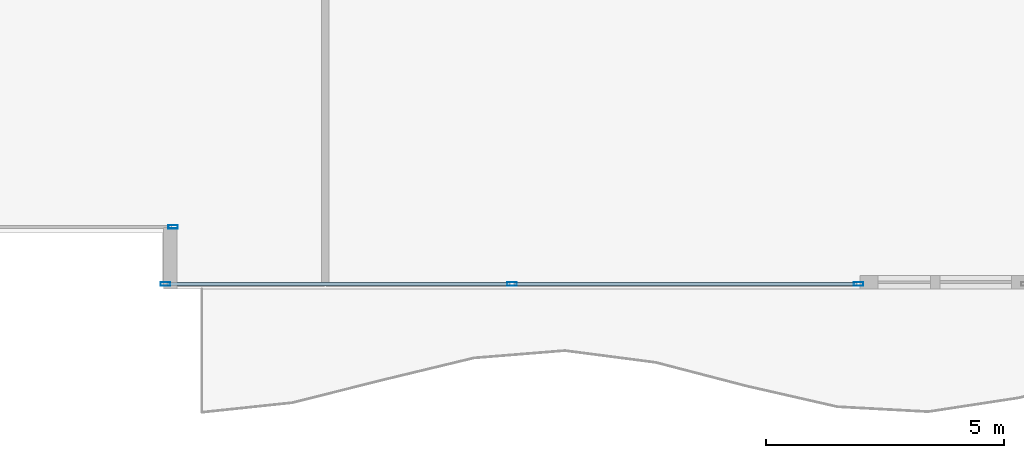
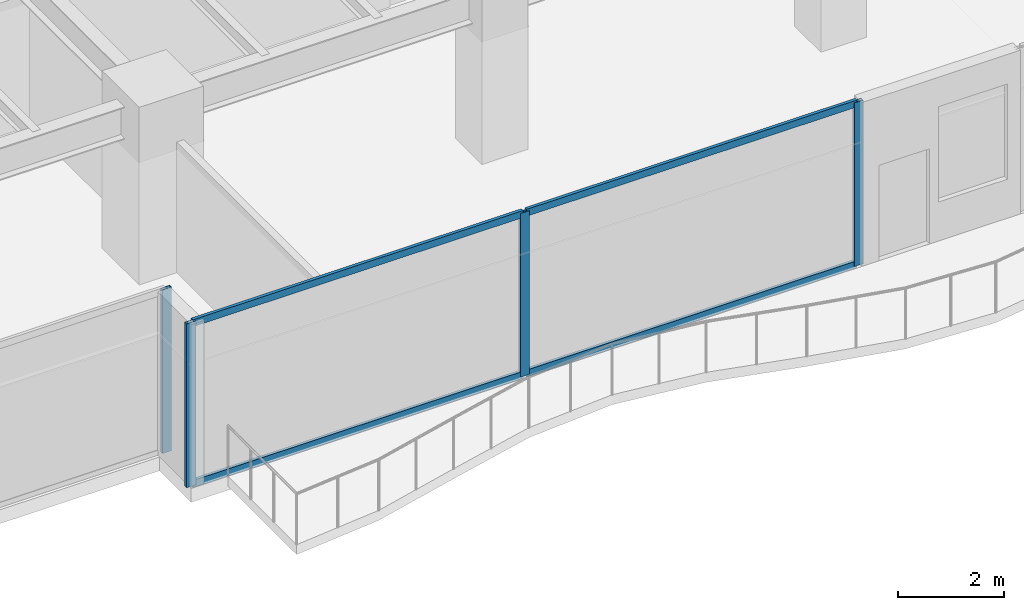
# One storey, part 10 of 32: 8 members, 2 elements without a shape of their own.
"""IFC4 building model written with IfcOpenShell, lengths in metres."""

from ifc_helpers import new_model, si_unit, direction, frame, origin, origin_2d, place, context, subcontext, project, spatial, hollow_rectangle, extrude, source, transform, mapped, material, layer, layer_set, material_profile, profile_set, type_object, type_shapes, element, aggregate, save


model = new_model("IFC4")

# Units and contexts
model_context = context("Model", 3, precision=1e-05, world=origin(), true_north=direction((0.0, 1.0)))
body_context = subcontext(model_context, "Body", "Model", "MODEL_VIEW")
ifc_project = project(units=[si_unit("LENGTHUNIT", "METRE"), si_unit("AREAUNIT", "SQUARE_METRE"), si_unit("VOLUMEUNIT", "CUBIC_METRE"), si_unit("PLANEANGLEUNIT", "RADIAN"), si_unit("MASSUNIT", "GRAM", prefix="KILO")], contexts=[model_context])

# Site, building, storey
site_placement = place(None, origin())
site = spatial("IfcSite", under=ifc_project, at=site_placement, CompositionType="ELEMENT")
building_placement = place(site_placement, origin())
building = spatial("IfcBuilding", under=site, at=building_placement, Name="Haelvirn Gate Laboratories", CompositionType="ELEMENT")
storey_placement = place(building_placement, frame((0.0, 0.0, 33.39990234375)))
storey = spatial("IfcBuildingStorey", under=building, at=storey_placement, Name="L08", CompositionType="ELEMENT", Elevation=33.39990234375)

# Curtain wall, member
ifc_material_1 = material(Name="Anodised bronze unitised aluminium & triple low-E glass", Category="aluminium")
ifc_layer = layer(ifc_material_1, 0.18408203125, Name="CW-SYS-2")
ifc_layer_set = layer_set([ifc_layer], Name="Anodised bronze unitised aluminium & triple low-E glass")
curtain_wall_type = type_object("IfcCurtainWallType", Name="CW-SYS-2", PredefinedType="NOTDEFINED", material=ifc_layer_set)
curtain_wall_1_placement = place(storey_placement, origin())
curtain_wall_1 = element("IfcCurtainWall", 1, at=curtain_wall_1_placement, inside=storey, type_object=curtain_wall_type, Name="L08 Unitised Curtain Wall CW-L08-P0-E02-1", PredefinedType="NOTDEFINED")
ifc_material_2 = material(Name="Extruded aluminium 6063-T6 (anodised bronze)", Category="aluminium")
ifc_material_profile_1 = material_profile(ifc_material_2, hollow_rectangle(XDim=0.074951171875, YDim=0.199951171875, WallThickness=0.0048828125, at=origin_2d()), Name="CWM-200x75x5")
ifc_profile_set_1 = profile_set([ifc_material_profile_1], Name="Extruded aluminium 6063-T6 (anodised bronze)")
member_type_1 = type_object("IfcMemberType", Name="CWM-T200", PredefinedType="MULLION", material=ifc_profile_set_1)
shared_shape_1 = source(origin(), body_context, "Body", "SweptSolid", [
    extrude(hollow_rectangle(XDim=0.074951171875, YDim=0.199951171875, WallThickness=0.0048828125, at=origin_2d()), origin(), (0.0, 0.0, 1.0), 3.780029296875),
])
type_shapes(member_type_1, [shared_shape_1])
member_1_placement = place(storey_placement, frame((49.6025390625, 1.300048828125, 0.0), z_axis=(0.0, 0.0, 1.0), x_axis=(0.0, 1.0, 0.0)))
member_1 = element("IfcMember", 2, at=member_1_placement, type_object=member_type_1, Name="CW2 mullion 3", PredefinedType="MULLION", context=body_context, shape_type="MappedRepresentation", body=[
    mapped(shared_shape_1, transform((0.0, 0.0, 0.0), scale=1.0)),
])
aggregate(curtain_wall_1, [member_1])

# Curtain wall, members
curtain_wall_2_placement = place(storey_placement, origin())
curtain_wall_2 = element("IfcCurtainWall", 3, at=curtain_wall_2_placement, inside=storey, type_object=curtain_wall_type, Name="L08 Unitised Curtain Wall CW-L08-P0-E04-1", PredefinedType="NOTDEFINED")
member_2_placement = place(storey_placement, frame((49.4375, 0.10009765625, 0.0), z_axis=(0.0, 0.0, 1.0), x_axis=(0.0, 1.0, 0.0)))
member_2 = element("IfcMember", 4, at=member_2_placement, type_object=member_type_1, Name="CW2 mullion 1", PredefinedType="MULLION", context=body_context, shape_type="MappedRepresentation", body=[
    mapped(shared_shape_1, transform((0.0, 0.0, 0.0), scale=1.0)),
])
member_3_placement = place(storey_placement, frame((56.72509765625, 0.10009765625, 0.0), z_axis=(0.0, 0.0, 1.0), x_axis=(0.0, 1.0, 0.0)))
member_3 = element("IfcMember", 5, at=member_3_placement, type_object=member_type_1, Name="CW2 mullion 2", PredefinedType="MULLION", context=body_context, shape_type="MappedRepresentation", body=[
    mapped(shared_shape_1, transform((0.0, 0.0, 0.0), scale=1.0)),
])
member_4_placement = place(storey_placement, frame((64.012451171875, 0.10009765625, 0.0), z_axis=(0.0, 0.0, 1.0), x_axis=(0.0, 1.0, 0.0)))
member_4 = element("IfcMember", 6, at=member_4_placement, type_object=member_type_1, Name="CW2 mullion 3", PredefinedType="MULLION", context=body_context, shape_type="MappedRepresentation", body=[
    mapped(shared_shape_1, transform((0.0, 0.0, 0.0), scale=1.0)),
])
ifc_material_profile_2 = material_profile(ifc_material_2, hollow_rectangle(XDim=0.070068359375, YDim=0.159912109375, WallThickness=0.0048828125, at=origin_2d()), Name="CWT-160x70x5")
ifc_profile_set_2 = profile_set([ifc_material_profile_2], Name="Extruded aluminium 6063-T6 (anodised bronze)")
member_type_2 = type_object("IfcMemberType", Name="CWT-T160", PredefinedType="USERDEFINED", material=ifc_profile_set_2)
shared_shape_2 = source(origin(), body_context, "Body", "SweptSolid", [
    extrude(hollow_rectangle(XDim=0.070068359375, YDim=0.159912109375, WallThickness=0.0048828125, at=origin_2d()), origin(), (0.0, 0.0, 1.0), 7.212646484375),
])
member_5_placement = place(storey_placement, frame((56.762451171875, 0.10009765625, 0.03515625), z_axis=(1.0, 0.0, 0.0), x_axis=(0.0, 1.0, 0.0)))
member_5 = element("IfcMember", 7, at=member_5_placement, type_object=member_type_2, Name="CW2 transom 2.1", ObjectType="TRANSOM", PredefinedType="USERDEFINED", context=body_context, shape_type="MappedRepresentation", body=[
    mapped(shared_shape_2, transform((0.0, 0.0, 0.0), scale=1.0)),
])
member_6_placement = place(storey_placement, frame((56.762451171875, 0.10009765625, 3.7451171875), z_axis=(1.0, 0.0, 0.0), x_axis=(0.0, 1.0, 0.0)))
member_6 = element("IfcMember", 8, at=member_6_placement, type_object=member_type_2, Name="CW2 transom 2.2", ObjectType="TRANSOM", PredefinedType="USERDEFINED", context=body_context, shape_type="MappedRepresentation", body=[
    mapped(shared_shape_2, transform((0.0, 0.0, 0.0), scale=1.0)),
])
shared_shape_3 = source(origin(), body_context, "Body", "SweptSolid", [
    extrude(hollow_rectangle(XDim=0.070068359375, YDim=0.159912109375, WallThickness=0.0048828125, at=origin_2d()), origin(), (0.0, 0.0, 1.0), 7.21240234375),
])
type_shapes(member_type_2, [shared_shape_2, shared_shape_3])
member_7_placement = place(storey_placement, frame((49.47509765625, 0.10009765625, 0.03515625), z_axis=(1.0, 0.0, 0.0), x_axis=(0.0, 1.0, 0.0)))
member_7 = element("IfcMember", 9, at=member_7_placement, type_object=member_type_2, Name="CW2 transom 1.1", ObjectType="TRANSOM", PredefinedType="USERDEFINED", context=body_context, shape_type="MappedRepresentation", body=[
    mapped(shared_shape_3, transform((0.0, 0.0, 0.0), scale=1.0)),
])
member_8_placement = place(storey_placement, frame((49.47509765625, 0.10009765625, 3.7451171875), z_axis=(1.0, 0.0, 0.0), x_axis=(0.0, 1.0, 0.0)))
member_8 = element("IfcMember", 10, at=member_8_placement, type_object=member_type_2, Name="CW2 transom 1.2", ObjectType="TRANSOM", PredefinedType="USERDEFINED", context=body_context, shape_type="MappedRepresentation", body=[
    mapped(shared_shape_3, transform((0.0, 0.0, 0.0), scale=1.0)),
])
aggregate(curtain_wall_2, [member_2, member_3, member_4, member_7, member_8, member_5, member_6])

save(model, "model.ifc")
